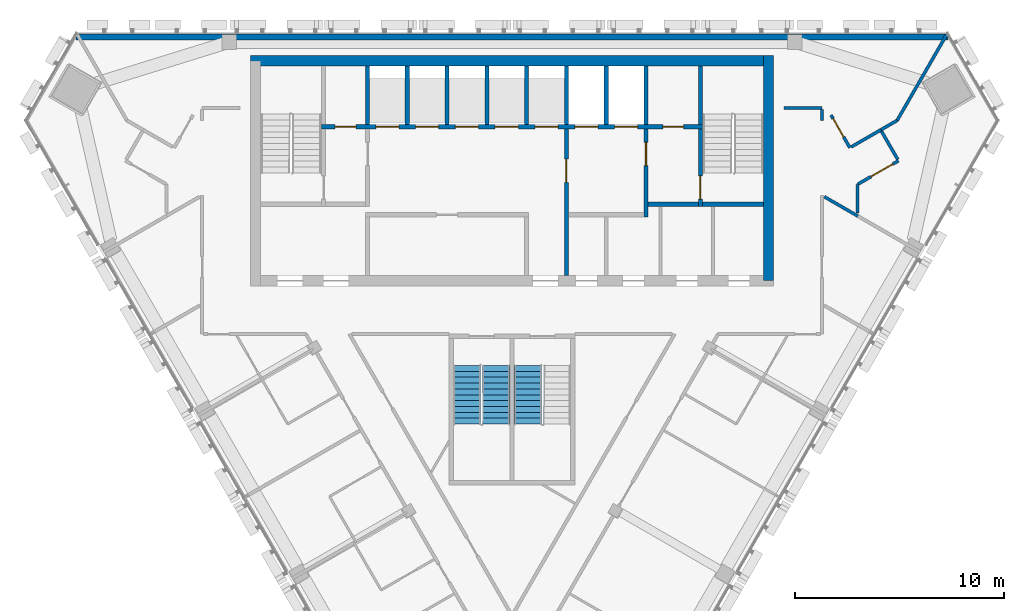
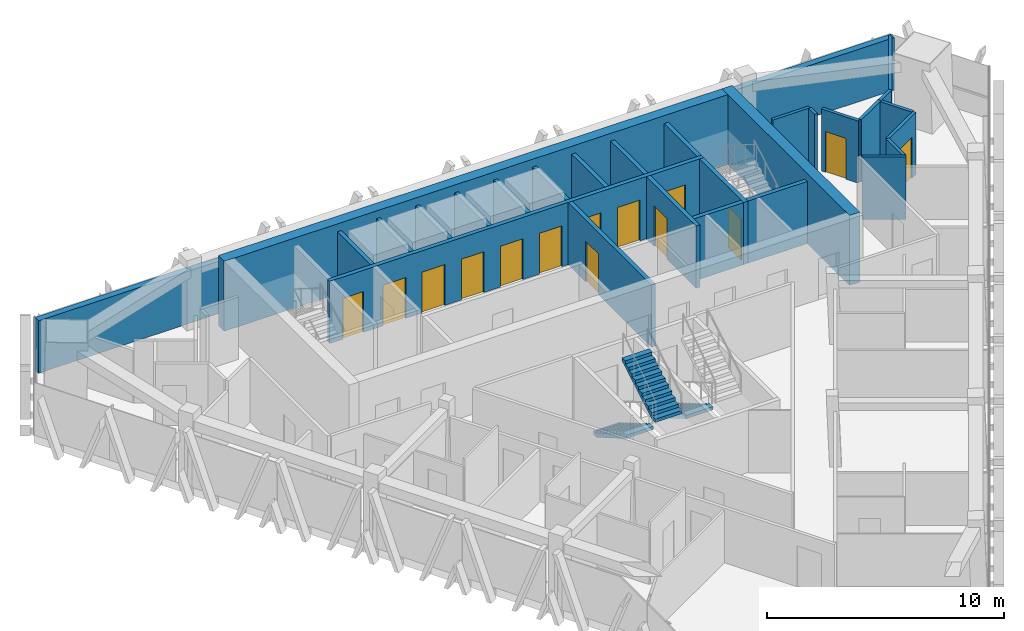
# One storey, part 10 of 14: 28 walls, 14 doors, 3 stair flights, 14 openings, 2 elements without a shape of their own.
"""IFC4 building model written with IfcOpenShell, lengths in metres."""

from ifc_helpers import new_model, si_unit, direction, frame, frame_2d, origin, place, context, subcontext, project, spatial, polyline, rectangle, outline, extrude, material, layer, layer_set, type_object, element, fill, aggregate, save


model = new_model("IFC4")

# Units and contexts
model_context = context("Model", 3, precision=1e-05, world=origin(), true_north=direction((0.0, 1.0)))
body_context = subcontext(model_context, "Body", "Model", "MODEL_VIEW")
ifc_project = project(units=[si_unit("LENGTHUNIT", "METRE"), si_unit("AREAUNIT", "SQUARE_METRE"), si_unit("VOLUMEUNIT", "CUBIC_METRE"), si_unit("PLANEANGLEUNIT", "RADIAN"), si_unit("MASSUNIT", "GRAM", prefix="KILO")], contexts=[model_context])

# Site, building, storey
site_placement = place(None, origin())
site = spatial("IfcSite", under=ifc_project, at=site_placement, CompositionType="ELEMENT")
building_placement = place(site_placement, origin())
building = spatial("IfcBuilding", under=site, at=building_placement, Name="Altiplano Prism Tower", CompositionType="ELEMENT")
storey_placement = place(building_placement, frame((0.0, 0.0, 268.0)))
storey = spatial("IfcBuildingStorey", under=building, at=storey_placement, Name="L69", CompositionType="ELEMENT", Elevation=268.0)

# Walls
ifc_material_1 = material(Name="Concrete C60/75", Category="concrete")
ifc_layer_1 = layer(ifc_material_1, 0.5)
ifc_layer_set_1 = layer_set([ifc_layer_1], Name="Concrete C60/75")
wall_type_1 = type_object("IfcWallType", Name="Core wall 500", PredefinedType="SHEAR", material=ifc_layer_set_1)
wall_1_placement = place(storey_placement, frame((97.25, 93.14990234375, 0.0), z_axis=(0.0, 0.0, 1.0), x_axis=(0.0, 1.0, 0.0)))
element("IfcWall", 1, at=wall_1_placement, inside=storey, type_object=wall_type_1, Name="Core wall E L69", PredefinedType="SHEAR", context=body_context, shape_type="SweptSolid", body=[
    extrude(rectangle(XDim=10.75, YDim=0.5, at=frame_2d((5.375, 0.0))), origin(), (0.0, 0.0, 1.0), 3.60009765625),
])
wall_2_placement = place(storey_placement, frame((97.25, 103.64990234375, 0.0), z_axis=(0.0, 0.0, 1.0), x_axis=(-1.0, 0.0, 0.0)))
element("IfcWall", 2, at=wall_2_placement, inside=storey, type_object=wall_type_1, Name="Core wall N L69", PredefinedType="SHEAR", context=body_context, shape_type="SweptSolid", body=[
    extrude(rectangle(XDim=24.75, YDim=0.5, at=frame_2d((12.375, 0.0))), origin(), (0.0, 0.0, 1.0), 3.60009765625),
])
ifc_material_2 = material(Name="Plasterboard on steel stud", Category="steel")
ifc_layer_2 = layer(ifc_material_2, 0.14990234375)
ifc_layer_set_2 = layer_set([ifc_layer_2], Name="Plasterboard on steel stud")
wall_type_2 = type_object("IfcWallType", Name="Partition 150 corridor", PredefinedType="PARTITIONING", material=ifc_layer_set_2)
wall_3_placement = place(storey_placement, frame((99.91259765625, 97.161865234375, 0.0), z_axis=(0.0, 0.0, 1.0), x_axis=(0.866021029023, -0.500007577232, 0.0)))
element("IfcWall", 3, at=wall_3_placement, inside=storey, type_object=wall_type_2, Name="Partition P06 L69 015", PredefinedType="PARTITIONING", context=body_context, shape_type="SweptSolid", body=[
    extrude(rectangle(XDim=1.85302734375, YDim=0.14990234375, at=frame_2d((0.926513671875, 0.0))), origin(), (0.0, 0.0, 1.0), 3.199951171875),
])
wall_4_placement = place(storey_placement, frame((101.5, 96.375244140625, 0.0), z_axis=(0.0, 0.0, 1.0), x_axis=(0.0, 1.0, 0.0)))
element("IfcWall", 4, at=wall_4_placement, inside=storey, type_object=wall_type_2, Name="Partition P06 L69 016", PredefinedType="PARTITIONING", context=body_context, shape_type="SweptSolid", body=[
    extrude(rectangle(XDim=1.371337890625, YDim=0.14990234375, at=frame_2d((0.685546875, 0.0))), origin(), (0.0, 0.0, 1.0), 3.199951171875),
])

# Wall, opening, door
wall_5_placement = place(storey_placement, frame((101.5, 97.74658203125, 0.0), z_axis=(0.0, 0.0, 1.0), x_axis=(0.866036427558, 0.499980905779, 0.0)))
wall_5 = element("IfcWall", 5, at=wall_5_placement, inside=storey, type_object=wall_type_2, Name="Partition P06 L69 017", PredefinedType="PARTITIONING", context=body_context, shape_type="SweptSolid", body=[
    extrude(rectangle(XDim=2.26220703125, YDim=0.14990234375, at=frame_2d((1.131103515625, 0.0))), origin(), (0.0, 0.0, 1.0), 3.199951171875),
])
opening_1_placement = place(wall_5_placement, frame((0.7529296875, 0.0, 0.0)))
opening_1 = element("IfcOpeningElement", 6, at=opening_1_placement, cuts=wall_5, Name="Opening D2201", PredefinedType="OPENING", context=body_context, shape_type="SweptSolid", body=[
    extrude(rectangle(XDim=1.199951171875, YDim=2.10009765625, at=frame_2d((0.60009765625, 1.050048828125))), frame((0.0, 0.08544921875, 0.0), z_axis=(0.0, -1.0, 0.0), x_axis=(1.0, 0.0, 0.0)), (0.0, 0.0, 1.0), 0.1708984375),
])
ifc_material_3 = material(Name="Timber", Category="wood")
door_type_1 = type_object("IfcDoorType", Name="Shared room door 1200 x 2100", OperationType="NOTDEFINED", PredefinedType="NOTDEFINED", material=ifc_material_3)
door_1_placement = place(opening_1_placement, origin())
door_1 = element("IfcDoor", 7, at=door_1_placement, inside=storey, type_object=door_type_1, Name="Door D2201", OperationType="SINGLE_SWING_RIGHT", OverallHeight=2.10009765625, OverallWidth=1.199951171875, PredefinedType="NOTDEFINED", context=body_context, shape_type="SweptSolid", body=[
    extrude(rectangle(XDim=1.199951171875, YDim=2.10009765625, at=frame_2d((0.60009765625, 1.050048828125))), frame((0.0, 0.02490234375, 0.0), z_axis=(0.0, -1.0, 0.0), x_axis=(1.0, 0.0, 0.0)), (0.0, 0.0, 1.0), 0.050048828125),
])
fill(opening_1, door_1)

# Walls
wall_6_placement = place(storey_placement, frame((103.421875, 98.942626953125, 0.0), z_axis=(0.0, 0.0, 1.0), x_axis=(-0.500017819788, 0.86601511528, 0.0)))
element("IfcWall", 8, at=wall_6_placement, inside=storey, type_object=wall_type_2, Name="Partition P06 L69 018", PredefinedType="PARTITIONING", context=body_context, shape_type="SweptSolid", body=[
    extrude(rectangle(XDim=1.55029296875, YDim=0.14990234375, at=frame_2d((0.775146484375, 0.0))), origin(), (0.0, 0.0, 1.0), 3.199951171875),
])
wall_7_placement = place(storey_placement, frame((102.626708984375, 100.360107421875, 0.0), z_axis=(0.0, 0.0, 1.0), x_axis=(-0.866052144996, -0.499953680002, 0.0)))
element("IfcWall", 9, at=wall_7_placement, inside=storey, type_object=wall_type_2, Name="Partition P06 L69 023", PredefinedType="PARTITIONING", context=body_context, shape_type="SweptSolid", body=[
    extrude(rectangle(XDim=1.645263671875, YDim=0.14990234375, at=frame_2d((0.82275390625, 0.0))), origin(), (0.0, 0.0, 1.0), 3.199951171875),
])

# Wall, opening, door
wall_8_placement = place(storey_placement, frame((101.136962890625, 99.5, 0.0), z_axis=(0.0, 0.0, 1.0), x_axis=(-0.499961193289, 0.866047807691, 0.0)))
wall_8 = element("IfcWall", 10, at=wall_8_placement, inside=storey, type_object=wall_type_2, Name="Partition P06 L69 024", PredefinedType="PARTITIONING", context=body_context, shape_type="SweptSolid", body=[
    extrude(rectangle(XDim=1.800048828125, YDim=0.14990234375, at=frame_2d((0.89990234375, 0.0))), origin(), (0.0, 0.0, 1.0), 3.199951171875),
])
opening_2_placement = place(wall_8_placement, frame((0.60009765625, 0.0, 0.0)))
opening_2 = element("IfcOpeningElement", 11, at=opening_2_placement, cuts=wall_8, Name="Opening D2203", PredefinedType="OPENING", context=body_context, shape_type="SweptSolid", body=[
    extrude(rectangle(XDim=1.0, YDim=2.10009765625, at=frame_2d((0.5, 1.050048828125))), frame((0.0, 0.08544921875, 0.0), z_axis=(0.0, -1.0, 0.0), x_axis=(1.0, 0.0, 0.0)), (0.0, 0.0, 1.0), 0.1708984375),
])
door_type_2 = type_object("IfcDoorType", Name="Room door 1000 x 2100", OperationType="NOTDEFINED", PredefinedType="NOTDEFINED", material=ifc_material_3)
door_2_placement = place(opening_2_placement, origin())
door_2 = element("IfcDoor", 12, at=door_2_placement, inside=storey, type_object=door_type_2, Name="Door D2203", OperationType="SINGLE_SWING_RIGHT", OverallHeight=2.10009765625, OverallWidth=1.0, PredefinedType="NOTDEFINED", context=body_context, shape_type="SweptSolid", body=[
    extrude(rectangle(XDim=1.0, YDim=2.10009765625, at=frame_2d((0.5, 1.050048828125))), frame((0.0, 0.02490234375, 0.0), z_axis=(0.0, -1.0, 0.0), x_axis=(1.0, 0.0, 0.0)), (0.0, 0.0, 1.0), 0.050048828125),
])
fill(opening_2, door_2)

# Walls
wall_9_placement = place(storey_placement, frame((99.800048828125, 100.806396484375, 0.0), z_axis=(0.0, 0.0, 1.0), x_axis=(0.0, 1.0, 0.0)))
element("IfcWall", 13, at=wall_9_placement, inside=storey, type_object=wall_type_2, Name="Partition P06 L69 025", PredefinedType="PARTITIONING", context=body_context, shape_type="SweptSolid", body=[
    extrude(rectangle(XDim=0.5185546875, YDim=0.14990234375, at=frame_2d((0.25927734375, 0.0))), origin(), (0.0, 0.0, 1.0), 3.199951171875),
])
wall_10_placement = place(storey_placement, frame((99.800048828125, 101.39990234375, 0.0), z_axis=(0.0, 0.0, 1.0), x_axis=(-1.0, 0.0, 0.0)))
element("IfcWall", 14, at=wall_10_placement, inside=storey, type_object=wall_type_2, Name="Partition P06 L69 026", PredefinedType="PARTITIONING", context=body_context, shape_type="SweptSolid", body=[
    extrude(rectangle(XDim=1.800048828125, YDim=0.14990234375, at=frame_2d((0.89990234375, 0.0))), origin(), (0.0, 0.0, 1.0), 3.199951171875),
])
ifc_layer_3 = layer(ifc_material_2, 0.14990234375)
ifc_layer_set_3 = layer_set([ifc_layer_3], Name="Plasterboard on steel stud")
wall_type_3 = type_object("IfcWallType", Name="Partition 150 party", PredefinedType="PARTITIONING", material=ifc_layer_set_3)
wall_11_placement = place(storey_placement, frame((105.75830078125, 104.89990234375, 0.0), z_axis=(0.0, 0.0, 1.0), x_axis=(-0.500006800136, -0.866021477689, 0.0)))
element("IfcWall", 15, at=wall_11_placement, inside=storey, type_object=wall_type_3, Name="Partition P01 L69 056", PredefinedType="PARTITIONING", context=body_context, shape_type="SweptSolid", body=[
    extrude(rectangle(XDim=4.73193359375, YDim=0.14990234375, at=frame_2d((2.365966796875, 0.0))), origin(), (0.0, 0.0, 1.0), 2.699951171875),
])
wall_12_placement = place(storey_placement, frame((103.392333984375, 100.802001953125, 0.0), z_axis=(0.0, 0.0, 1.0), x_axis=(-0.866093614288, -0.499881837328, 0.0)))
element("IfcWall", 16, at=wall_12_placement, inside=storey, type_object=wall_type_3, Name="Partition P01 L69 057", PredefinedType="PARTITIONING", context=body_context, shape_type="SweptSolid", body=[
    extrude(rectangle(XDim=0.884033203125, YDim=0.14990234375, at=frame_2d((0.44189453125, 0.0))), origin(), (0.0, 0.0, 1.0), 3.199951171875),
])
ifc_layer_4 = layer(ifc_material_1, 0.199951171875)
ifc_layer_set_4 = layer_set([ifc_layer_4], Name="Concrete C60/75")
wall_type_4 = type_object("IfcWallType", Name="Shaft wall 200", PredefinedType="SOLIDWALL", material=ifc_layer_set_4)
for number, where, z_axis, x_axis, name in (
    (17, (78.10009765625, 100.60009765625, 0.0), (0.0, 0.0, 1.0), (0.0, 1.0, 0.0), "Shaft wall L69"),
    (18, (80.0, 100.60009765625, 0.0), (0.0, 0.0, 1.0), (0.0, 1.0, 0.0), "Shaft wall L69"),
    (19, (81.89990234375, 100.60009765625, 0.0), (0.0, 0.0, 1.0), (0.0, 1.0, 0.0), "Shaft wall L69"),
    (20, (83.800048828125, 100.60009765625, 0.0), (0.0, 0.0, 1.0), (0.0, 1.0, 0.0), "Shaft wall L69"),
    (21, (85.699951171875, 100.60009765625, 0.0), (0.0, 0.0, 1.0), (0.0, 1.0, 0.0), "Shaft wall L69"),
    (22, (87.60009765625, 100.60009765625, 0.0), (0.0, 0.0, 1.0), (0.0, 1.0, 0.0), "Shaft wall L69"),
    (23, (89.5, 100.60009765625, 0.0), (0.0, 0.0, 1.0), (0.0, 1.0, 0.0), "Shaft wall L69"),
    (24, (91.39990234375, 100.60009765625, 0.0), (0.0, 0.0, 1.0), (0.0, 1.0, 0.0), "Shaft wall L69"),
):
    element("IfcWall", number, at=place(storey_placement, frame(where, z_axis=z_axis, x_axis=x_axis)), inside=storey, type_object=wall_type_4, Name=name, PredefinedType="SOLIDWALL", context=body_context, shape_type="SweptSolid", body=[
        extrude(rectangle(XDim=2.7998046875, YDim=0.199951171875, at=frame_2d((1.39990234375, 0.0))), origin(), (0.0, 0.0, 1.0), 3.199951171875),
    ])

# Wall, opening, door
ifc_layer_5 = layer(ifc_material_1, 0.199951171875)
ifc_layer_set_5 = layer_set([ifc_layer_5], Name="Concrete C60/75")
wall_type_5 = type_object("IfcWallType", Name="Stair wall 200", PredefinedType="SOLIDWALL", material=ifc_layer_set_5)
wall_13_placement = place(storey_placement, frame((94.0, 96.699951171875, 0.0), z_axis=(0.0, 0.0, 1.0), x_axis=(0.0, 1.0, 0.0)))
wall_13 = element("IfcWall", 25, at=wall_13_placement, inside=storey, type_object=wall_type_5, Name="Stair wall L69", PredefinedType="SOLIDWALL", context=body_context, shape_type="SweptSolid", body=[
    extrude(rectangle(XDim=3.699951171875, YDim=0.199951171875, at=frame_2d((1.85009765625, 0.0))), origin(), (0.0, 0.0, 1.0), 3.199951171875),
])
opening_3_placement = place(wall_13_placement, frame((0.35009765625, 0.0, 0.0)))
opening_3 = element("IfcOpeningElement", 26, at=opening_3_placement, cuts=wall_13, Name="Opening D3548", PredefinedType="OPENING", context=body_context, shape_type="SweptSolid", body=[
    extrude(rectangle(XDim=1.10009765625, YDim=2.10009765625, at=frame_2d((0.550048828125, 1.050048828125))), frame((0.0, 0.1103515625, 0.0), z_axis=(0.0, -1.0, 0.0), x_axis=(1.0, 0.0, 0.0)), (0.0, 0.0, 1.0), 0.220947265625),
])
ifc_material_4 = material(Name="Fire-rated steel door", Category="steel")
door_type_3 = type_object("IfcDoorType", Name="Stair fire door 1100 x 2100", OperationType="NOTDEFINED", PredefinedType="NOTDEFINED", material=ifc_material_4)
door_3_placement = place(opening_3_placement, origin())
door_3 = element("IfcDoor", 27, at=door_3_placement, inside=storey, type_object=door_type_3, Name="Stair fire door D3548", OperationType="SINGLE_SWING_LEFT", OverallHeight=2.10009765625, OverallWidth=1.10009765625, PredefinedType="NOTDEFINED", context=body_context, shape_type="SweptSolid", body=[
    extrude(rectangle(XDim=1.10009765625, YDim=2.10009765625, at=frame_2d((0.550048828125, 1.050048828125))), frame((0.0, 0.02490234375, 0.0), z_axis=(0.0, -1.0, 0.0), x_axis=(1.0, 0.0, 0.0)), (0.0, 0.0, 1.0), 0.050048828125),
])
fill(opening_3, door_3)

# Wall
wall_14_placement = place(storey_placement, frame((94.10009765625, 96.800048828125, 0.0), z_axis=(0.0, 0.0, 1.0), x_axis=(1.0, 0.0, 0.0)))
element("IfcWall", 28, at=wall_14_placement, inside=storey, type_object=wall_type_5, Name="Stair wall L69", PredefinedType="SOLIDWALL", context=body_context, shape_type="SweptSolid", body=[
    extrude(rectangle(XDim=2.89990234375, YDim=0.199951171875, at=frame_2d((1.449951171875, 0.0))), origin(), (0.0, 0.0, 1.0), 3.199951171875),
])

# Wall, openings, doors
wall_15_placement = place(storey_placement, frame((75.89990234375, 100.5, 0.0), z_axis=(0.0, 0.0, 1.0), x_axis=(1.0, 0.0, 0.0)))
wall_15 = element("IfcWall", 29, at=wall_15_placement, inside=storey, type_object=wall_type_5, Name="Stair wall L69", PredefinedType="SOLIDWALL", context=body_context, shape_type="SweptSolid", body=[
    extrude(rectangle(XDim=18.2001953125, YDim=0.199951171875, at=frame_2d((9.10009765625, 0.0))), origin(), (0.0, 0.0, 1.0), 3.199951171875),
])
opening_4_placement = place(wall_15_placement, frame((2.60009765625, 0.0, 0.0)))
opening_4 = element("IfcOpeningElement", 30, at=opening_4_placement, cuts=wall_15, Name="Opening LD-HL1-L69", PredefinedType="OPENING", context=body_context, shape_type="SweptSolid", body=[
    extrude(rectangle(XDim=1.10009765625, YDim=2.10009765625, at=frame_2d((0.550048828125, 1.050048828125))), frame((0.0, 0.1103515625, 0.0), z_axis=(0.0, -1.0, 0.0), x_axis=(1.0, 0.0, 0.0)), (0.0, 0.0, 1.0), 0.220947265625),
])
opening_5_placement = place(wall_15_placement, frame((4.5, 0.0, 0.0)))
opening_5 = element("IfcOpeningElement", 31, at=opening_5_placement, cuts=wall_15, Name="Opening LD-HL2-L69", PredefinedType="OPENING", context=body_context, shape_type="SweptSolid", body=[
    extrude(rectangle(XDim=1.10009765625, YDim=2.10009765625, at=frame_2d((0.550048828125, 1.050048828125))), frame((0.0, 0.1103515625, 0.0), z_axis=(0.0, -1.0, 0.0), x_axis=(1.0, 0.0, 0.0)), (0.0, 0.0, 1.0), 0.220947265625),
])
opening_6_placement = place(wall_15_placement, frame((6.39990234375, 0.0, 0.0)))
opening_6 = element("IfcOpeningElement", 32, at=opening_6_placement, cuts=wall_15, Name="Opening LD-HL3-L69", PredefinedType="OPENING", context=body_context, shape_type="SweptSolid", body=[
    extrude(rectangle(XDim=1.10009765625, YDim=2.10009765625, at=frame_2d((0.550048828125, 1.050048828125))), frame((0.0, 0.1103515625, 0.0), z_axis=(0.0, -1.0, 0.0), x_axis=(1.0, 0.0, 0.0)), (0.0, 0.0, 1.0), 0.220947265625),
])
opening_7_placement = place(wall_15_placement, frame((8.300048828125, 0.0, 0.0)))
opening_7 = element("IfcOpeningElement", 33, at=opening_7_placement, cuts=wall_15, Name="Opening LD-HL4-L69", PredefinedType="OPENING", context=body_context, shape_type="SweptSolid", body=[
    extrude(rectangle(XDim=1.10009765625, YDim=2.10009765625, at=frame_2d((0.550048828125, 1.050048828125))), frame((0.0, 0.1103515625, 0.0), z_axis=(0.0, -1.0, 0.0), x_axis=(1.0, 0.0, 0.0)), (0.0, 0.0, 1.0), 0.220947265625),
])
opening_8_placement = place(wall_15_placement, frame((10.199951171875, 0.0, 0.0)))
opening_8 = element("IfcOpeningElement", 34, at=opening_8_placement, cuts=wall_15, Name="Opening LD-HL5-L69", PredefinedType="OPENING", context=body_context, shape_type="SweptSolid", body=[
    extrude(rectangle(XDim=1.10009765625, YDim=2.10009765625, at=frame_2d((0.550048828125, 1.050048828125))), frame((0.0, 0.1103515625, 0.0), z_axis=(0.0, -1.0, 0.0), x_axis=(1.0, 0.0, 0.0)), (0.0, 0.0, 1.0), 0.220947265625),
])
opening_9_placement = place(wall_15_placement, frame((12.10009765625, 0.0, 0.0)))
opening_9 = element("IfcOpeningElement", 35, at=opening_9_placement, cuts=wall_15, Name="Opening LD-FF1-L69", PredefinedType="OPENING", context=body_context, shape_type="SweptSolid", body=[
    extrude(rectangle(XDim=1.10009765625, YDim=2.10009765625, at=frame_2d((0.550048828125, 1.050048828125))), frame((0.0, 0.1103515625, 0.0), z_axis=(0.0, -1.0, 0.0), x_axis=(1.0, 0.0, 0.0)), (0.0, 0.0, 1.0), 0.220947265625),
])
opening_10_placement = place(wall_15_placement, frame((14.0, 0.0, 0.0)))
opening_10 = element("IfcOpeningElement", 36, at=opening_10_placement, cuts=wall_15, Name="Opening LD-FF2-L69", PredefinedType="OPENING", context=body_context, shape_type="SweptSolid", body=[
    extrude(rectangle(XDim=1.10009765625, YDim=2.10009765625, at=frame_2d((0.550048828125, 1.050048828125))), frame((0.0, 0.1103515625, 0.0), z_axis=(0.0, -1.0, 0.0), x_axis=(1.0, 0.0, 0.0)), (0.0, 0.0, 1.0), 0.220947265625),
])
opening_11_placement = place(wall_15_placement, frame((0.64990234375, 0.0, 0.0)))
opening_11 = element("IfcOpeningElement", 37, at=opening_11_placement, cuts=wall_15, Name="Opening D3555", PredefinedType="OPENING", context=body_context, shape_type="SweptSolid", body=[
    extrude(rectangle(XDim=1.0, YDim=2.10009765625, at=frame_2d((0.5, 1.050048828125))), frame((0.0, 0.1103515625, 0.0), z_axis=(0.0, -1.0, 0.0), x_axis=(1.0, 0.0, 0.0)), (0.0, 0.0, 1.0), 0.220947265625),
])
opening_12_placement = place(wall_15_placement, frame((16.300048828125, 0.0, 0.0)))
opening_12 = element("IfcOpeningElement", 38, at=opening_12_placement, cuts=wall_15, Name="Opening D3556", PredefinedType="OPENING", context=body_context, shape_type="SweptSolid", body=[
    extrude(rectangle(XDim=1.0, YDim=2.10009765625, at=frame_2d((0.5, 1.050048828125))), frame((0.0, 0.1103515625, 0.0), z_axis=(0.0, -1.0, 0.0), x_axis=(1.0, 0.0, 0.0)), (0.0, 0.0, 1.0), 0.220947265625),
])
door_type_4 = type_object("IfcDoorType", Name="Core room door 1000 x 2100", OperationType="NOTDEFINED", PredefinedType="NOTDEFINED", material=ifc_material_4)
door_4_placement = place(opening_11_placement, origin())
door_4 = element("IfcDoor", 39, at=door_4_placement, inside=storey, type_object=door_type_4, Name="Core room door D3555", OperationType="SINGLE_SWING_LEFT", OverallHeight=2.10009765625, OverallWidth=1.0, PredefinedType="NOTDEFINED", context=body_context, shape_type="SweptSolid", body=[
    extrude(rectangle(XDim=1.0, YDim=2.10009765625, at=frame_2d((0.5, 1.050048828125))), frame((0.0, 0.02490234375, 0.0), z_axis=(0.0, -1.0, 0.0), x_axis=(1.0, 0.0, 0.0)), (0.0, 0.0, 1.0), 0.050048828125),
])
fill(opening_11, door_4)
door_5_placement = place(opening_12_placement, origin())
door_5 = element("IfcDoor", 40, at=door_5_placement, inside=storey, type_object=door_type_4, Name="Core room door D3556", OperationType="SINGLE_SWING_RIGHT", OverallHeight=2.10009765625, OverallWidth=1.0, PredefinedType="NOTDEFINED", context=body_context, shape_type="SweptSolid", body=[
    extrude(rectangle(XDim=1.0, YDim=2.10009765625, at=frame_2d((0.5, 1.050048828125))), frame((0.0, 0.02490234375, 0.0), z_axis=(0.0, -1.0, 0.0), x_axis=(1.0, 0.0, 0.0)), (0.0, 0.0, 1.0), 0.050048828125),
])
fill(opening_12, door_5)
ifc_material_5 = material(Name="Stainless steel landing door", Category="steel")
door_type_5 = type_object("IfcDoorType", Name="Landing door 1100 x 2100", OperationType="NOTDEFINED", PredefinedType="NOTDEFINED", material=ifc_material_5)
door_6_placement = place(opening_4_placement, origin())
door_6 = element("IfcDoor", 41, at=door_6_placement, inside=storey, type_object=door_type_5, Name="Landing doors HL1", OperationType="SLIDING_TO_RIGHT", OverallHeight=2.10009765625, OverallWidth=1.10009765625, PredefinedType="NOTDEFINED", context=body_context, shape_type="SweptSolid", body=[
    extrude(rectangle(XDim=1.10009765625, YDim=2.10009765625, at=frame_2d((0.550048828125, 1.050048828125))), frame((0.0, 0.02490234375, 0.0), z_axis=(0.0, -1.0, 0.0), x_axis=(1.0, 0.0, 0.0)), (0.0, 0.0, 1.0), 0.050048828125),
])
fill(opening_4, door_6)
door_7_placement = place(opening_5_placement, origin())
door_7 = element("IfcDoor", 42, at=door_7_placement, inside=storey, type_object=door_type_5, Name="Landing doors HL2", OperationType="SLIDING_TO_LEFT", OverallHeight=2.10009765625, OverallWidth=1.10009765625, PredefinedType="NOTDEFINED", context=body_context, shape_type="SweptSolid", body=[
    extrude(rectangle(XDim=1.10009765625, YDim=2.10009765625, at=frame_2d((0.550048828125, 1.050048828125))), frame((0.0, 0.02490234375, 0.0), z_axis=(0.0, -1.0, 0.0), x_axis=(1.0, 0.0, 0.0)), (0.0, 0.0, 1.0), 0.050048828125),
])
fill(opening_5, door_7)
door_8_placement = place(opening_6_placement, origin())
door_8 = element("IfcDoor", 43, at=door_8_placement, inside=storey, type_object=door_type_5, Name="Landing doors HL3", OperationType="SLIDING_TO_RIGHT", OverallHeight=2.10009765625, OverallWidth=1.10009765625, PredefinedType="NOTDEFINED", context=body_context, shape_type="SweptSolid", body=[
    extrude(rectangle(XDim=1.10009765625, YDim=2.10009765625, at=frame_2d((0.550048828125, 1.050048828125))), frame((0.0, 0.02490234375, 0.0), z_axis=(0.0, -1.0, 0.0), x_axis=(1.0, 0.0, 0.0)), (0.0, 0.0, 1.0), 0.050048828125),
])
fill(opening_6, door_8)
door_9_placement = place(opening_7_placement, origin())
door_9 = element("IfcDoor", 44, at=door_9_placement, inside=storey, type_object=door_type_5, Name="Landing doors HL4", OperationType="SLIDING_TO_LEFT", OverallHeight=2.10009765625, OverallWidth=1.10009765625, PredefinedType="NOTDEFINED", context=body_context, shape_type="SweptSolid", body=[
    extrude(rectangle(XDim=1.10009765625, YDim=2.10009765625, at=frame_2d((0.550048828125, 1.050048828125))), frame((0.0, 0.02490234375, 0.0), z_axis=(0.0, -1.0, 0.0), x_axis=(1.0, 0.0, 0.0)), (0.0, 0.0, 1.0), 0.050048828125),
])
fill(opening_7, door_9)
door_10_placement = place(opening_8_placement, origin())
door_10 = element("IfcDoor", 45, at=door_10_placement, inside=storey, type_object=door_type_5, Name="Landing doors HL5", OperationType="SLIDING_TO_RIGHT", OverallHeight=2.10009765625, OverallWidth=1.10009765625, PredefinedType="NOTDEFINED", context=body_context, shape_type="SweptSolid", body=[
    extrude(rectangle(XDim=1.10009765625, YDim=2.10009765625, at=frame_2d((0.550048828125, 1.050048828125))), frame((0.0, 0.02490234375, 0.0), z_axis=(0.0, -1.0, 0.0), x_axis=(1.0, 0.0, 0.0)), (0.0, 0.0, 1.0), 0.050048828125),
])
fill(opening_8, door_10)
door_11_placement = place(opening_9_placement, origin())
door_11 = element("IfcDoor", 46, at=door_11_placement, inside=storey, type_object=door_type_5, Name="Landing doors FF1", OperationType="SLIDING_TO_RIGHT", OverallHeight=2.10009765625, OverallWidth=1.10009765625, PredefinedType="NOTDEFINED", context=body_context, shape_type="SweptSolid", body=[
    extrude(rectangle(XDim=1.10009765625, YDim=2.10009765625, at=frame_2d((0.550048828125, 1.050048828125))), frame((0.0, 0.02490234375, 0.0), z_axis=(0.0, -1.0, 0.0), x_axis=(1.0, 0.0, 0.0)), (0.0, 0.0, 1.0), 0.050048828125),
])
fill(opening_9, door_11)
door_12_placement = place(opening_10_placement, origin())
door_12 = element("IfcDoor", 47, at=door_12_placement, inside=storey, type_object=door_type_5, Name="Landing doors FF2", OperationType="SLIDING_TO_LEFT", OverallHeight=2.10009765625, OverallWidth=1.10009765625, PredefinedType="NOTDEFINED", context=body_context, shape_type="SweptSolid", body=[
    extrude(rectangle(XDim=1.10009765625, YDim=2.10009765625, at=frame_2d((0.550048828125, 1.050048828125))), frame((0.0, 0.02490234375, 0.0), z_axis=(0.0, -1.0, 0.0), x_axis=(1.0, 0.0, 0.0)), (0.0, 0.0, 1.0), 0.050048828125),
])
fill(opening_10, door_12)

# Walls
wall_16_placement = place(storey_placement, frame((94.0, 100.60009765625, 0.0), z_axis=(0.0, 0.0, 1.0), x_axis=(0.0, 1.0, 0.0)))
element("IfcWall", 48, at=wall_16_placement, inside=storey, type_object=wall_type_5, Name="Stair wall L69", PredefinedType="SOLIDWALL", context=body_context, shape_type="SweptSolid", body=[
    extrude(rectangle(XDim=2.7998046875, YDim=0.199951171875, at=frame_2d((1.39990234375, 0.0))), origin(), (0.0, 0.0, 1.0), 3.199951171875),
])
ifc_material_6 = material(Name="Concrete C40", Category="concrete")
ifc_layer_6 = layer(ifc_material_6, 0.300048828125)
ifc_layer_set_6 = layer_set([ifc_layer_6], Name="Concrete C40")
wall_type_6 = type_object("IfcWallType", Name="Stone-clad external wall 300", PredefinedType="SOLIDWALL", material=ifc_layer_set_6)
wall_17_placement = place(storey_placement, frame((64.183837890625, 104.7900390625, 0.0), z_axis=(0.0, 0.0, 1.0), x_axis=(1.0, 0.0, 0.0)))
element("IfcWall", 49, at=wall_17_placement, inside=storey, type_object=wall_type_6, Name="External wall north face L69", PredefinedType="SOLIDWALL", context=body_context, shape_type="SweptSolid", body=[
    extrude(rectangle(XDim=41.63232421875, YDim=0.300048828125, at=frame_2d((20.816162109375, 0.0))), origin(), (0.0, 0.0, 1.0), 2.699951171875),
])

# Wall, opening, door
ifc_layer_7 = layer(ifc_material_1, 0.199951171875)
ifc_layer_set_7 = layer_set([ifc_layer_7], Name="Concrete C60/75")
wall_type_7 = type_object("IfcWallType", Name="Vestibule wall 200", PredefinedType="PARTITIONING", material=ifc_layer_set_7)
wall_18_placement = place(storey_placement, frame((87.60009765625, 93.39990234375, 0.0), z_axis=(0.0, 0.0, 1.0), x_axis=(0.0, 1.0, 0.0)))
wall_18 = element("IfcWall", 50, at=wall_18_placement, inside=storey, type_object=wall_type_7, Name="Vestibule wall L69", PredefinedType="PARTITIONING", context=body_context, shape_type="SweptSolid", body=[
    extrude(rectangle(XDim=7.0, YDim=0.199951171875, at=frame_2d((3.5, 0.0))), origin(), (0.0, 0.0, 1.0), 3.199951171875),
])
opening_13_placement = place(wall_18_placement, frame((4.449951171875, 0.0, 0.0)))
opening_13 = element("IfcOpeningElement", 51, at=opening_13_placement, cuts=wall_18, Name="Opening D3550", PredefinedType="OPENING", context=body_context, shape_type="SweptSolid", body=[
    extrude(rectangle(XDim=1.10009765625, YDim=2.10009765625, at=frame_2d((0.550048828125, 1.050048828125))), frame((0.0, 0.1103515625, 0.0), z_axis=(0.0, -1.0, 0.0), x_axis=(1.0, 0.0, 0.0)), (0.0, 0.0, 1.0), 0.220947265625),
])
door_type_6 = type_object("IfcDoorType", Name="Vestibule fire door 1100 x 2100", OperationType="NOTDEFINED", PredefinedType="NOTDEFINED", material=ifc_material_4)
door_13_placement = place(opening_13_placement, origin())
door_13 = element("IfcDoor", 52, at=door_13_placement, inside=storey, type_object=door_type_6, Name="Vestibule fire door D3550", OperationType="SINGLE_SWING_RIGHT", OverallHeight=2.10009765625, OverallWidth=1.10009765625, PredefinedType="NOTDEFINED", context=body_context, shape_type="SweptSolid", body=[
    extrude(rectangle(XDim=1.10009765625, YDim=2.10009765625, at=frame_2d((0.550048828125, 1.050048828125))), frame((0.0, 0.02490234375, 0.0), z_axis=(0.0, -1.0, 0.0), x_axis=(1.0, 0.0, 0.0)), (0.0, 0.0, 1.0), 0.050048828125),
])
fill(opening_13, door_13)

wall_19_placement = place(storey_placement, frame((91.39990234375, 96.199951171875, 0.0), z_axis=(0.0, 0.0, 1.0), x_axis=(0.0, 1.0, 0.0)))
wall_19 = element("IfcWall", 53, at=wall_19_placement, inside=storey, type_object=wall_type_7, Name="Vestibule wall L69", PredefinedType="PARTITIONING", context=body_context, shape_type="SweptSolid", body=[
    extrude(rectangle(XDim=4.199951171875, YDim=0.199951171875, at=frame_2d((2.10009765625, 0.0))), origin(), (0.0, 0.0, 1.0), 3.199951171875),
])
opening_14_placement = place(wall_19_placement, frame((2.449951171875, 0.0, 0.0)))
opening_14 = element("IfcOpeningElement", 54, at=opening_14_placement, cuts=wall_19, Name="Opening D3551", PredefinedType="OPENING", context=body_context, shape_type="SweptSolid", body=[
    extrude(rectangle(XDim=1.10009765625, YDim=2.10009765625, at=frame_2d((0.550048828125, 1.050048828125))), frame((0.0, 0.1103515625, 0.0), z_axis=(0.0, -1.0, 0.0), x_axis=(1.0, 0.0, 0.0)), (0.0, 0.0, 1.0), 0.220947265625),
])
door_14_placement = place(opening_14_placement, origin())
door_14 = element("IfcDoor", 55, at=door_14_placement, inside=storey, type_object=door_type_6, Name="Vestibule fire door D3551", OperationType="SINGLE_SWING_LEFT", OverallHeight=2.10009765625, OverallWidth=1.10009765625, PredefinedType="NOTDEFINED", context=body_context, shape_type="SweptSolid", body=[
    extrude(rectangle(XDim=1.10009765625, YDim=2.10009765625, at=frame_2d((0.550048828125, 1.050048828125))), frame((0.0, 0.02490234375, 0.0), z_axis=(0.0, -1.0, 0.0), x_axis=(1.0, 0.0, 0.0)), (0.0, 0.0, 1.0), 0.050048828125),
])
fill(opening_14, door_14)

# Wall
wall_20_placement = place(storey_placement, frame((91.5, 96.800048828125, 0.0), z_axis=(0.0, 0.0, 1.0), x_axis=(1.0, 0.0, 0.0)))
element("IfcWall", 56, at=wall_20_placement, inside=storey, type_object=wall_type_7, Name="Vestibule wall L69", PredefinedType="PARTITIONING", context=body_context, shape_type="SweptSolid", body=[
    extrude(rectangle(XDim=2.39990234375, YDim=0.199951171875, at=frame_2d((1.199951171875, 0.0))), origin(), (0.0, 0.0, 1.0), 3.199951171875),
])

# Stair, stair flights
ifc_material_7 = material(Name="Concrete C40/50", Category="concrete")
stair_type = type_object("IfcStairType", Name="Exit stair 1300", PredefinedType="HALF_TURN_STAIR", material=ifc_material_7)
stair_1_placement = place(storey_placement, origin())
stair_1 = element("IfcStair", 57, at=stair_1_placement, inside=storey, type_object=stair_type, Name="L69 Exit Stair 3A", PredefinedType="HALF_TURN_STAIR")
stair_flight_type = type_object("IfcStairFlightType", Name="Stair flight concrete 150", PredefinedType="STRAIGHT", material=ifc_material_7)
stair_flight_1_placement = place(storey_placement, frame((82.85009765625, 89.10009765625, 0.0), z_axis=(0.0, 0.0, 1.0), x_axis=(0.0, -1.0, 0.0)))
stair_flight_1 = element("IfcStairFlight", 58, at=stair_flight_1_placement, type_object=stair_flight_type, Name="ST3A flight 1", NumberOfRisers=11, NumberOfTreads=10, PredefinedType="STRAIGHT", RiserHeight=0.163636364, TreadLength=0.28, context=body_context, shape_type="SweptSolid", body=[
    extrude(outline(polyline([(0.0, 0.0), (0.0, 0.16357421875), (0.280029296875, 0.16357421875), (0.280029296875, 0.327392578125), (0.56005859375, 0.327392578125), (0.56005859375, 0.490966796875), (0.840087890625, 0.490966796875), (0.840087890625, 0.654541015625), (1.1201171875, 0.654541015625), (1.1201171875, 0.818115234375), (1.39990234375, 0.818115234375), (1.39990234375, 0.98193359375), (1.679931640625, 0.98193359375), (1.679931640625, 1.1455078125), (1.9599609375, 1.1455078125), (1.9599609375, 1.30908203125), (2.239990234375, 1.30908203125), (2.239990234375, 1.47265625), (2.52001953125, 1.47265625), (2.52001953125, 1.636474609375), (2.800048828125, 1.636474609375), (2.800048828125, 1.800048828125), (2.800048828125, 1.462646484375), (0.297119140625, 0.0), (0.0, 0.0)])), frame((0.0, 0.64990234375, 0.0), z_axis=(0.0, -1.0, 0.0), x_axis=(1.0, 0.0, 0.0)), (0.0, 0.0, 1.0), 1.300048828125),
])
stair_flight_2_placement = place(storey_placement, frame((84.25, 86.300048828125, 1.800048828125), z_axis=(0.0, 0.0, 1.0), x_axis=(0.0, 1.0, 0.0)))
stair_flight_2 = element("IfcStairFlight", 59, at=stair_flight_2_placement, type_object=stair_flight_type, Name="ST3A flight 2", NumberOfRisers=11, NumberOfTreads=10, PredefinedType="STRAIGHT", RiserHeight=0.163636364, TreadLength=0.28, context=body_context, shape_type="SweptSolid", body=[
    extrude(outline(polyline([(0.0, 0.0), (0.0, 0.16357421875), (0.280029296875, 0.16357421875), (0.280029296875, 0.327392578125), (0.56005859375, 0.327392578125), (0.56005859375, 0.490966796875), (0.840087890625, 0.490966796875), (0.840087890625, 0.654541015625), (1.1201171875, 0.654541015625), (1.1201171875, 0.818115234375), (1.39990234375, 0.818115234375), (1.39990234375, 0.98193359375), (1.679931640625, 0.98193359375), (1.679931640625, 1.1455078125), (1.9599609375, 1.1455078125), (1.9599609375, 1.30908203125), (2.239990234375, 1.30908203125), (2.239990234375, 1.47265625), (2.52001953125, 1.47265625), (2.52001953125, 1.636474609375), (2.800048828125, 1.636474609375), (2.800048828125, 1.800048828125), (2.800048828125, 1.462646484375), (0.297119140625, 0.0), (0.0, 0.0)])), frame((0.0, 0.64990234375, 0.0), z_axis=(0.0, -1.0, 0.0), x_axis=(1.0, 0.0, 0.0)), (0.0, 0.0, 1.0), 1.300048828125),
])
aggregate(stair_1, [stair_flight_1, stair_flight_2])

# Stair, stair flight
stair_2_placement = place(storey_placement, origin())
stair_2 = element("IfcStair", 60, at=stair_2_placement, inside=storey, type_object=stair_type, Name="L69 Exit Stair 3B", PredefinedType="HALF_TURN_STAIR")
stair_flight_3_placement = place(storey_placement, frame((85.75, 89.10009765625, 0.0), z_axis=(0.0, 0.0, 1.0), x_axis=(0.0, -1.0, 0.0)))
stair_flight_3 = element("IfcStairFlight", 61, at=stair_flight_3_placement, type_object=stair_flight_type, Name="ST3B flight 1", NumberOfRisers=11, NumberOfTreads=10, PredefinedType="STRAIGHT", RiserHeight=0.163636364, TreadLength=0.28, context=body_context, shape_type="SweptSolid", body=[
    extrude(outline(polyline([(0.0, 0.0), (0.0, 0.16357421875), (0.280029296875, 0.16357421875), (0.280029296875, 0.327392578125), (0.56005859375, 0.327392578125), (0.56005859375, 0.490966796875), (0.840087890625, 0.490966796875), (0.840087890625, 0.654541015625), (1.1201171875, 0.654541015625), (1.1201171875, 0.818115234375), (1.39990234375, 0.818115234375), (1.39990234375, 0.98193359375), (1.679931640625, 0.98193359375), (1.679931640625, 1.1455078125), (1.9599609375, 1.1455078125), (1.9599609375, 1.30908203125), (2.239990234375, 1.30908203125), (2.239990234375, 1.47265625), (2.52001953125, 1.47265625), (2.52001953125, 1.636474609375), (2.800048828125, 1.636474609375), (2.800048828125, 1.800048828125), (2.800048828125, 1.462646484375), (0.297119140625, 0.0), (0.0, 0.0)])), frame((0.0, 0.64990234375, 0.0), z_axis=(0.0, -1.0, 0.0), x_axis=(1.0, 0.0, 0.0)), (0.0, 0.0, 1.0), 1.300048828125),
])
aggregate(stair_2, [stair_flight_3])

save(model, "model.ifc")
